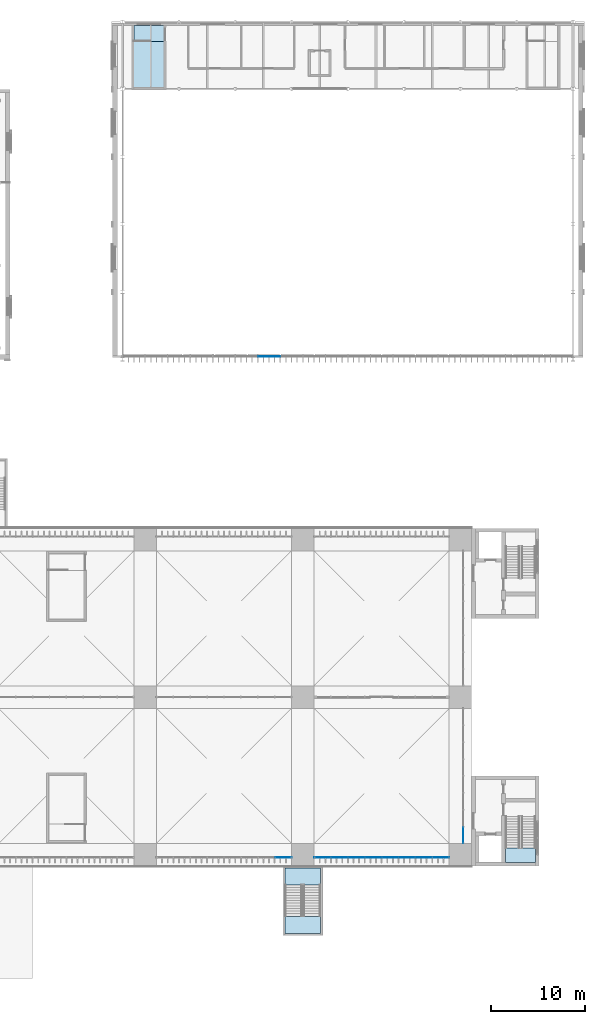
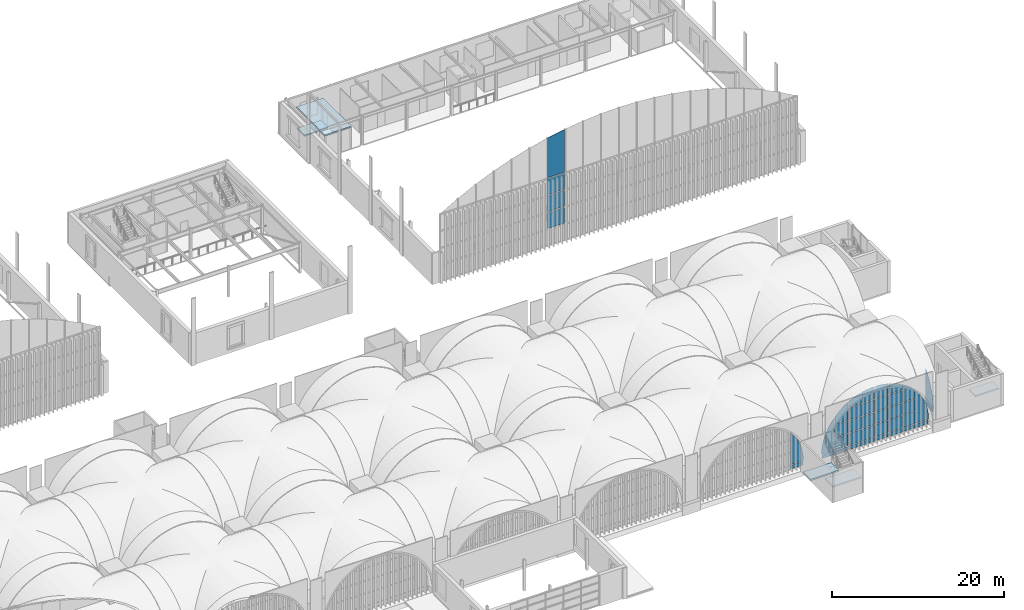
# One storey, part 91 of 169: 40 plates, 5 slabs, 6 elements without a shape of their own.
"""IFC4 building model written with IfcOpenShell, lengths in metres."""

from ifc_helpers import new_model, si_unit, direction, frame, origin, origin_2d, place, context, subcontext, project, spatial, polyline, rectangle, outline, extrude, material, layer, layer_set, type_object, element, aggregate, save


model = new_model("IFC4")

# Units and contexts
model_context = context("Model", 3, precision=1e-05, world=origin(), true_north=direction((0.0, 1.0)))
body_context = subcontext(model_context, "Body", "Model", "MODEL_VIEW")
ifc_project = project(units=[si_unit("LENGTHUNIT", "METRE"), si_unit("AREAUNIT", "SQUARE_METRE"), si_unit("VOLUMEUNIT", "CUBIC_METRE"), si_unit("PLANEANGLEUNIT", "RADIAN"), si_unit("MASSUNIT", "GRAM", prefix="KILO")], contexts=[model_context])

# Site, building, storey
site_placement = place(None, origin())
site = spatial("IfcSite", under=ifc_project, at=site_placement, CompositionType="ELEMENT")
building_placement = place(site_placement, origin())
building = spatial("IfcBuilding", under=site, at=building_placement, Name="Verrick Yard Athletic Hall", CompositionType="ELEMENT")
storey_placement = place(building_placement, frame((0.0, 0.0, 4.39990234375)))
storey = spatial("IfcBuildingStorey", under=building, at=storey_placement, Name="L01", CompositionType="ELEMENT", Elevation=4.39990234375)

# Slabs
ifc_material_1 = material(Name="Concrete 35 MPa", Category="concrete")
ifc_layer_1 = layer(ifc_material_1, 0.199951171875)
ifc_layer_set_1 = layer_set([ifc_layer_1], Name="Core floor slab 200")
slab_type_1 = type_object("IfcSlabType", Name="Core floor slab 200", PredefinedType="FLOOR", material=ifc_layer_set_1)
slab_1_placement = place(storey_placement, frame((0.0, 0.0, -0.199951171875)))
element("IfcSlab", 1, at=slab_1_placement, inside=storey, type_object=slab_type_1, Name="CORE-DT-S2-NL-L01", PredefinedType="FLOOR", context=body_context, shape_type="SweptSolid", body=[
    extrude(outline(polyline([(138.89990234375, 17.800048828125), (138.89990234375, 16.0), (142.699951171875, 16.0), (142.699951171875, 17.800048828125), (138.89990234375, 17.800048828125)])), origin(), (0.0, 0.0, 1.0), 0.199951171875),
])
slab_2_placement = place(storey_placement, frame((0.0, 0.0, -0.199951171875)))
element("IfcSlab", 2, at=slab_2_placement, inside=storey, type_object=slab_type_1, Name="CORE-HA-W-NL-L01", PredefinedType="FLOOR", context=body_context, shape_type="SweptSolid", body=[
    extrude(outline(polyline([(122.800048828125, 107.58154296875), (122.800048828125, 105.875), (126.0, 105.875), (126.0, 107.58154296875), (122.800048828125, 107.58154296875)])), origin(), (0.0, 0.0, 1.0), 0.199951171875),
])
ifc_layer_2 = layer(ifc_material_1, 0.199951171875)
ifc_layer_set_2 = layer_set([ifc_layer_2], Name="Core roof slab 200")
slab_type_2 = type_object("IfcSlabType", Name="Core roof slab 200", PredefinedType="ROOF", material=ifc_layer_set_2)
slab_3_placement = place(storey_placement, frame((0.0, 0.0, 3.0)))
element("IfcSlab", 3, at=slab_3_placement, inside=storey, type_object=slab_type_2, Name="CORE-HA-W-COVER", PredefinedType="ROOF", context=body_context, shape_type="SweptSolid", body=[
    extrude(outline(polyline([(122.60009765625, 100.800048828125), (126.199951171875, 100.800048828125), (126.199951171875, 107.375), (122.60009765625, 107.375), (122.60009765625, 100.800048828125)])), origin(), (0.0, 0.0, 1.0), 0.2001953125),
])

# Curtain wall, plates
ifc_material_2 = material(Name="Aluminium and glass curtain wall", Category="aluminium")
ifc_layer_3 = layer(ifc_material_2, 0.14990234375)
ifc_layer_set_3 = layer_set([ifc_layer_3], Name="Arcade glazing arch")
curtain_wall_type_1 = type_object("IfcCurtainWallType", Name="Arcade glazing arch", PredefinedType="NOTDEFINED", material=ifc_layer_set_3)
curtain_wall_1_placement = place(storey_placement, origin())
curtain_wall_1 = element("IfcCurtainWall", 4, at=curtain_wall_1_placement, inside=storey, type_object=curtain_wall_type_1, Name="Arcade glazing S6", PredefinedType="NOTDEFINED")
ifc_material_3 = material(Name="Laminated glass 28 mm", Category="glass")
ifc_layer_4 = layer(ifc_material_3, 0.028076171875)
ifc_layer_set_4 = layer_set([ifc_layer_4], Name="Curtain wall glass panel")
plate_type_1 = type_object("IfcPlateType", Name="Curtain wall glass panel", PredefinedType="CURTAIN_PANEL", material=ifc_layer_set_4)
plate_1_placement = place(storey_placement, frame((125.199951171875, 18.89990234375, 0.101806640625), z_axis=(0.0, 0.0, 1.0), x_axis=(1.0, 0.0, 0.0)))
plate_1 = element("IfcPlate", 5, at=plate_1_placement, type_object=plate_type_1, Name="Arcade glazing S6 panel 31", PredefinedType="CURTAIN_PANEL", context=body_context, shape_type="SweptSolid", body=[
    extrude(outline(polyline([(14.2978515625, 0.0), (14.2978515625, 0.49755859375), (12.65087890625, 0.49755859375), (12.65087890625, 0.0), (14.2978515625, 0.0)])), frame((0.0, 0.01416015625, 0.0), z_axis=(0.0, -1.0, 0.0), x_axis=(1.0, 0.0, 0.0)), (0.0, 0.0, 1.0), 0.028076171875),
])
plate_2_placement = place(storey_placement, frame((125.199951171875, 18.89990234375, 0.700927734375), z_axis=(0.0, 0.0, 1.0), x_axis=(1.0, 0.0, 0.0)))
plate_2 = element("IfcPlate", 6, at=plate_2_placement, type_object=plate_type_1, Name="Arcade glazing S6 panel 32", PredefinedType="CURTAIN_PANEL", context=body_context, shape_type="SweptSolid", body=[
    extrude(outline(polyline([(14.39892578125, 0.0), (14.39306640625, 0.26318359375), (14.37255859375, 0.57666015625), (14.33837890625, 0.888916015625), (14.29052734375, 1.199462890625), (14.229248046875, 1.507568359375), (14.15478515625, 1.812744140625), (14.06689453125, 2.1142578125), (13.9658203125, 2.41162109375), (13.851806640625, 2.70458984375), (13.725341796875, 2.9921875), (13.58642578125, 3.273681640625), (13.435302734375, 3.549072265625), (13.2724609375, 3.81787109375), (13.097900390625, 4.078857421875), (12.912109375, 4.332275390625), (12.715576171875, 4.5771484375), (12.65087890625, 4.651123046875), (12.65087890625, 0.0), (14.39892578125, 0.0)])), frame((0.0, 0.01416015625, 0.0), z_axis=(0.0, -1.0, 0.0), x_axis=(1.0, 0.0, 0.0)), (0.0, 0.0, 1.0), 0.028076171875),
])
aggregate(curtain_wall_1, [plate_1, plate_2])

curtain_wall_2_placement = place(storey_placement, origin())
curtain_wall_2 = element("IfcCurtainWall", 7, at=curtain_wall_2_placement, inside=storey, type_object=curtain_wall_type_1, Name="Arcade glazing S7", PredefinedType="NOTDEFINED")
plate_3_placement = place(storey_placement, frame((142.0, 18.89990234375, 0.101806640625), z_axis=(0.0, 0.0, 1.0), x_axis=(1.0, 0.0, 0.0)))
plate_3 = element("IfcPlate", 8, at=plate_3_placement, type_object=plate_type_1, Name="Arcade glazing S7 panel 1", PredefinedType="CURTAIN_PANEL", context=body_context, shape_type="SweptSolid", body=[
    extrude(outline(polyline([(1.749267578125, 0.0), (1.749267578125, 0.49755859375), (0.10205078125, 0.49755859375), (0.10205078125, 0.0), (1.749267578125, 0.0)])), frame((0.0, 0.01416015625, 0.0), z_axis=(0.0, -1.0, 0.0), x_axis=(1.0, 0.0, 0.0)), (0.0, 0.0, 1.0), 0.028076171875),
])
plate_4_placement = place(storey_placement, frame((142.0, 18.89990234375, 0.700927734375), z_axis=(0.0, 0.0, 1.0), x_axis=(1.0, 0.0, 0.0)))
plate_4 = element("IfcPlate", 9, at=plate_4_placement, type_object=plate_type_1, Name="Arcade glazing S7 panel 2", PredefinedType="CURTAIN_PANEL", context=body_context, shape_type="SweptSolid", body=[
    extrude(outline(polyline([(1.749267578125, 4.651123046875), (1.6845703125, 4.5771484375), (1.48779296875, 4.332275390625), (1.302001953125, 4.078857421875), (1.127685546875, 3.81787109375), (0.964599609375, 3.549072265625), (0.8134765625, 3.273681640625), (0.674560546875, 2.9921875), (0.548095703125, 2.70458984375), (0.43408203125, 2.41162109375), (0.333251953125, 2.1142578125), (0.245361328125, 1.812744140625), (0.170654296875, 1.507568359375), (0.109375, 1.199462890625), (0.0615234375, 0.888916015625), (0.02734375, 0.57666015625), (0.0068359375, 0.26318359375), (0.001220703125, 0.0), (1.749267578125, 0.0), (1.749267578125, 4.651123046875)])), frame((0.0, 0.01416015625, 0.0), z_axis=(0.0, -1.0, 0.0), x_axis=(1.0, 0.0, 0.0)), (0.0, 0.0, 1.0), 0.028076171875),
])
plate_5_placement = place(storey_placement, frame((142.0, 18.89990234375, 0.101806640625), z_axis=(0.0, 0.0, 1.0), x_axis=(1.0, 0.0, 0.0)))
plate_5 = element("IfcPlate", 10, at=plate_5_placement, type_object=plate_type_1, Name="Arcade glazing S7 panel 3", PredefinedType="CURTAIN_PANEL", context=body_context, shape_type="SweptSolid", body=[
    extrude(outline(polyline([(3.54931640625, 0.0), (3.54931640625, 0.49755859375), (1.850830078125, 0.49755859375), (1.850830078125, 0.0), (3.54931640625, 0.0)])), frame((0.0, 0.01416015625, 0.0), z_axis=(0.0, -1.0, 0.0), x_axis=(1.0, 0.0, 0.0)), (0.0, 0.0, 1.0), 0.028076171875),
])
plate_6_placement = place(storey_placement, frame((142.0, 18.89990234375, 0.700927734375), z_axis=(0.0, 0.0, 1.0), x_axis=(1.0, 0.0, 0.0)))
plate_6 = element("IfcPlate", 11, at=plate_6_placement, type_object=plate_type_1, Name="Arcade glazing S7 panel 4", PredefinedType="CURTAIN_PANEL", context=body_context, shape_type="SweptSolid", body=[
    extrude(outline(polyline([(3.54931640625, 0.0), (3.54931640625, 1.698486328125), (1.850830078125, 1.698486328125), (1.850830078125, 0.0), (3.54931640625, 0.0)])), frame((0.0, 0.01416015625, 0.0), z_axis=(0.0, -1.0, 0.0), x_axis=(1.0, 0.0, 0.0)), (0.0, 0.0, 1.0), 0.028076171875),
])
plate_7_placement = place(storey_placement, frame((142.0, 18.89990234375, 2.5009765625), z_axis=(0.0, 0.0, 1.0), x_axis=(1.0, 0.0, 0.0)))
plate_7 = element("IfcPlate", 12, at=plate_7_placement, type_object=plate_type_1, Name="Arcade glazing S7 panel 5", PredefinedType="CURTAIN_PANEL", context=body_context, shape_type="SweptSolid", body=[
    extrude(outline(polyline([(3.54931640625, 0.0), (3.54931640625, 1.6982421875), (1.850830078125, 1.6982421875), (1.850830078125, 0.0), (3.54931640625, 0.0)])), frame((0.0, 0.01416015625, 0.0), z_axis=(0.0, -1.0, 0.0), x_axis=(1.0, 0.0, 0.0)), (0.0, 0.0, 1.0), 0.028076171875),
])
plate_8_placement = place(storey_placement, frame((142.0, 18.89990234375, 4.30078125), z_axis=(0.0, 0.0, 1.0), x_axis=(1.0, 0.0, 0.0)))
plate_8 = element("IfcPlate", 13, at=plate_8_placement, type_object=plate_type_1, Name="Arcade glazing S7 panel 6", PredefinedType="CURTAIN_PANEL", context=body_context, shape_type="SweptSolid", body=[
    extrude(outline(polyline([(3.54931640625, 2.553955078125), (3.331298828125, 2.421630859375), (3.0703125, 2.247314453125), (2.81689453125, 2.0615234375), (2.572021484375, 1.86474609375), (2.335693359375, 1.65771484375), (2.10888671875, 1.4404296875), (1.8916015625, 1.213623046875), (1.850830078125, 1.1669921875), (1.850830078125, 0.0), (3.54931640625, 0.0), (3.54931640625, 2.553955078125)])), frame((0.0, 0.01416015625, 0.0), z_axis=(0.0, -1.0, 0.0), x_axis=(1.0, 0.0, 0.0)), (0.0, 0.0, 1.0), 0.028076171875),
])
plate_9_placement = place(storey_placement, frame((142.0, 18.89990234375, 0.101806640625), z_axis=(0.0, 0.0, 1.0), x_axis=(1.0, 0.0, 0.0)))
plate_9 = element("IfcPlate", 14, at=plate_9_placement, type_object=plate_type_1, Name="Arcade glazing S7 panel 7", PredefinedType="CURTAIN_PANEL", context=body_context, shape_type="SweptSolid", body=[
    extrude(outline(polyline([(5.34912109375, 0.0), (5.34912109375, 0.49755859375), (3.65087890625, 0.49755859375), (3.65087890625, 0.0), (5.34912109375, 0.0)])), frame((0.0, 0.01416015625, 0.0), z_axis=(0.0, -1.0, 0.0), x_axis=(1.0, 0.0, 0.0)), (0.0, 0.0, 1.0), 0.028076171875),
])
plate_10_placement = place(storey_placement, frame((142.0, 18.89990234375, 0.700927734375), z_axis=(0.0, 0.0, 1.0), x_axis=(1.0, 0.0, 0.0)))
plate_10 = element("IfcPlate", 15, at=plate_10_placement, type_object=plate_type_1, Name="Arcade glazing S7 panel 8", PredefinedType="CURTAIN_PANEL", context=body_context, shape_type="SweptSolid", body=[
    extrude(outline(polyline([(5.34912109375, 0.0), (5.34912109375, 1.698486328125), (3.65087890625, 1.698486328125), (3.65087890625, 0.0), (5.34912109375, 0.0)])), frame((0.0, 0.01416015625, 0.0), z_axis=(0.0, -1.0, 0.0), x_axis=(1.0, 0.0, 0.0)), (0.0, 0.0, 1.0), 0.028076171875),
])
plate_11_placement = place(storey_placement, frame((142.0, 18.89990234375, 2.5009765625), z_axis=(0.0, 0.0, 1.0), x_axis=(1.0, 0.0, 0.0)))
plate_11 = element("IfcPlate", 16, at=plate_11_placement, type_object=plate_type_1, Name="Arcade glazing S7 panel 9", PredefinedType="CURTAIN_PANEL", context=body_context, shape_type="SweptSolid", body=[
    extrude(outline(polyline([(5.34912109375, 0.0), (5.34912109375, 1.6982421875), (3.65087890625, 1.6982421875), (3.65087890625, 0.0), (5.34912109375, 0.0)])), frame((0.0, 0.01416015625, 0.0), z_axis=(0.0, -1.0, 0.0), x_axis=(1.0, 0.0, 0.0)), (0.0, 0.0, 1.0), 0.028076171875),
])
plate_12_placement = place(storey_placement, frame((142.0, 18.89990234375, 4.30078125), z_axis=(0.0, 0.0, 1.0), x_axis=(1.0, 0.0, 0.0)))
plate_12 = element("IfcPlate", 17, at=plate_12_placement, type_object=plate_type_1, Name="Arcade glazing S7 panel 10", PredefinedType="CURTAIN_PANEL", context=body_context, shape_type="SweptSolid", body=[
    extrude(outline(polyline([(5.34912109375, 0.0), (5.34912109375, 1.698486328125), (3.65087890625, 1.698486328125), (3.65087890625, 0.0), (5.34912109375, 0.0)])), frame((0.0, 0.01416015625, 0.0), z_axis=(0.0, -1.0, 0.0), x_axis=(1.0, 0.0, 0.0)), (0.0, 0.0, 1.0), 0.028076171875),
])
plate_13_placement = place(storey_placement, frame((142.0, 18.89990234375, 6.100830078125), z_axis=(0.0, 0.0, 1.0), x_axis=(1.0, 0.0, 0.0)))
plate_13 = element("IfcPlate", 18, at=plate_13_placement, type_object=plate_type_1, Name="Arcade glazing S7 panel 11", PredefinedType="CURTAIN_PANEL", context=body_context, shape_type="SweptSolid", body=[
    extrude(outline(polyline([(5.34912109375, 1.507080078125), (5.33642578125, 1.50390625), (5.034912109375, 1.416015625), (4.737548828125, 1.315185546875), (4.444580078125, 1.201171875), (4.156982421875, 1.07470703125), (3.87548828125, 0.935791015625), (3.65087890625, 0.8125), (3.65087890625, 0.0), (5.34912109375, 0.0), (5.34912109375, 1.507080078125)])), frame((0.0, 0.01416015625, 0.0), z_axis=(0.0, -1.0, 0.0), x_axis=(1.0, 0.0, 0.0)), (0.0, 0.0, 1.0), 0.028076171875),
])
plate_14_placement = place(storey_placement, frame((142.0, 18.89990234375, 0.101806640625), z_axis=(0.0, 0.0, 1.0), x_axis=(1.0, 0.0, 0.0)))
plate_14 = element("IfcPlate", 19, at=plate_14_placement, type_object=plate_type_1, Name="Arcade glazing S7 panel 12", PredefinedType="CURTAIN_PANEL", context=body_context, shape_type="SweptSolid", body=[
    extrude(outline(polyline([(7.149169921875, 0.0), (7.149169921875, 0.49755859375), (5.45068359375, 0.49755859375), (5.45068359375, 0.0), (7.149169921875, 0.0)])), frame((0.0, 0.01416015625, 0.0), z_axis=(0.0, -1.0, 0.0), x_axis=(1.0, 0.0, 0.0)), (0.0, 0.0, 1.0), 0.028076171875),
])
plate_15_placement = place(storey_placement, frame((142.0, 18.89990234375, 0.700927734375), z_axis=(0.0, 0.0, 1.0), x_axis=(1.0, 0.0, 0.0)))
plate_15 = element("IfcPlate", 20, at=plate_15_placement, type_object=plate_type_1, Name="Arcade glazing S7 panel 13", PredefinedType="CURTAIN_PANEL", context=body_context, shape_type="SweptSolid", body=[
    extrude(outline(polyline([(7.149169921875, 0.0), (7.149169921875, 1.698486328125), (5.45068359375, 1.698486328125), (5.45068359375, 0.0), (7.149169921875, 0.0)])), frame((0.0, 0.01416015625, 0.0), z_axis=(0.0, -1.0, 0.0), x_axis=(1.0, 0.0, 0.0)), (0.0, 0.0, 1.0), 0.028076171875),
])
plate_16_placement = place(storey_placement, frame((142.0, 18.89990234375, 2.5009765625), z_axis=(0.0, 0.0, 1.0), x_axis=(1.0, 0.0, 0.0)))
plate_16 = element("IfcPlate", 21, at=plate_16_placement, type_object=plate_type_1, Name="Arcade glazing S7 panel 14", PredefinedType="CURTAIN_PANEL", context=body_context, shape_type="SweptSolid", body=[
    extrude(outline(polyline([(7.149169921875, 0.0), (7.149169921875, 1.6982421875), (5.45068359375, 1.6982421875), (5.45068359375, 0.0), (7.149169921875, 0.0)])), frame((0.0, 0.01416015625, 0.0), z_axis=(0.0, -1.0, 0.0), x_axis=(1.0, 0.0, 0.0)), (0.0, 0.0, 1.0), 0.028076171875),
])
plate_17_placement = place(storey_placement, frame((142.0, 18.89990234375, 4.30078125), z_axis=(0.0, 0.0, 1.0), x_axis=(1.0, 0.0, 0.0)))
plate_17 = element("IfcPlate", 22, at=plate_17_placement, type_object=plate_type_1, Name="Arcade glazing S7 panel 15", PredefinedType="CURTAIN_PANEL", context=body_context, shape_type="SweptSolid", body=[
    extrude(outline(polyline([(7.149169921875, 0.0), (7.149169921875, 1.698486328125), (5.45068359375, 1.698486328125), (5.45068359375, 0.0), (7.149169921875, 0.0)])), frame((0.0, 0.01416015625, 0.0), z_axis=(0.0, -1.0, 0.0), x_axis=(1.0, 0.0, 0.0)), (0.0, 0.0, 1.0), 0.028076171875),
])
plate_18_placement = place(storey_placement, frame((142.0, 18.89990234375, 6.100830078125), z_axis=(0.0, 0.0, 1.0), x_axis=(1.0, 0.0, 0.0)))
plate_18 = element("IfcPlate", 23, at=plate_18_placement, type_object=plate_type_1, Name="Arcade glazing S7 panel 16", PredefinedType="CURTAIN_PANEL", context=body_context, shape_type="SweptSolid", body=[
    extrude(outline(polyline([(7.149169921875, 1.748046875), (6.885986328125, 1.742431640625), (6.572509765625, 1.721923828125), (6.26025390625, 1.687744140625), (5.94970703125, 1.639892578125), (5.6416015625, 1.57861328125), (5.45068359375, 1.531982421875), (5.45068359375, 0.0), (7.149169921875, 0.0), (7.149169921875, 1.748046875)])), frame((0.0, 0.01416015625, 0.0), z_axis=(0.0, -1.0, 0.0), x_axis=(1.0, 0.0, 0.0)), (0.0, 0.0, 1.0), 0.028076171875),
])
plate_19_placement = place(storey_placement, frame((142.0, 18.89990234375, 0.101806640625), z_axis=(0.0, 0.0, 1.0), x_axis=(1.0, 0.0, 0.0)))
plate_19 = element("IfcPlate", 24, at=plate_19_placement, type_object=plate_type_1, Name="Arcade glazing S7 panel 17", PredefinedType="CURTAIN_PANEL", context=body_context, shape_type="SweptSolid", body=[
    extrude(outline(polyline([(8.94921875, 0.0), (8.94921875, 0.49755859375), (7.250732421875, 0.49755859375), (7.250732421875, 0.0), (8.94921875, 0.0)])), frame((0.0, 0.01416015625, 0.0), z_axis=(0.0, -1.0, 0.0), x_axis=(1.0, 0.0, 0.0)), (0.0, 0.0, 1.0), 0.028076171875),
])
plate_20_placement = place(storey_placement, frame((142.0, 18.89990234375, 0.700927734375), z_axis=(0.0, 0.0, 1.0), x_axis=(1.0, 0.0, 0.0)))
plate_20 = element("IfcPlate", 25, at=plate_20_placement, type_object=plate_type_1, Name="Arcade glazing S7 panel 18", PredefinedType="CURTAIN_PANEL", context=body_context, shape_type="SweptSolid", body=[
    extrude(outline(polyline([(8.94921875, 0.0), (8.94921875, 1.698486328125), (7.250732421875, 1.698486328125), (7.250732421875, 0.0), (8.94921875, 0.0)])), frame((0.0, 0.01416015625, 0.0), z_axis=(0.0, -1.0, 0.0), x_axis=(1.0, 0.0, 0.0)), (0.0, 0.0, 1.0), 0.028076171875),
])
plate_21_placement = place(storey_placement, frame((142.0, 18.89990234375, 2.5009765625), z_axis=(0.0, 0.0, 1.0), x_axis=(1.0, 0.0, 0.0)))
plate_21 = element("IfcPlate", 26, at=plate_21_placement, type_object=plate_type_1, Name="Arcade glazing S7 panel 19", PredefinedType="CURTAIN_PANEL", context=body_context, shape_type="SweptSolid", body=[
    extrude(outline(polyline([(8.94921875, 0.0), (8.94921875, 1.6982421875), (7.250732421875, 1.6982421875), (7.250732421875, 0.0), (8.94921875, 0.0)])), frame((0.0, 0.01416015625, 0.0), z_axis=(0.0, -1.0, 0.0), x_axis=(1.0, 0.0, 0.0)), (0.0, 0.0, 1.0), 0.028076171875),
])
plate_22_placement = place(storey_placement, frame((142.0, 18.89990234375, 4.30078125), z_axis=(0.0, 0.0, 1.0), x_axis=(1.0, 0.0, 0.0)))
plate_22 = element("IfcPlate", 27, at=plate_22_placement, type_object=plate_type_1, Name="Arcade glazing S7 panel 20", PredefinedType="CURTAIN_PANEL", context=body_context, shape_type="SweptSolid", body=[
    extrude(outline(polyline([(8.94921875, 0.0), (8.94921875, 1.698486328125), (7.250732421875, 1.698486328125), (7.250732421875, 0.0), (8.94921875, 0.0)])), frame((0.0, 0.01416015625, 0.0), z_axis=(0.0, -1.0, 0.0), x_axis=(1.0, 0.0, 0.0)), (0.0, 0.0, 1.0), 0.028076171875),
])
plate_23_placement = place(storey_placement, frame((142.0, 18.89990234375, 6.100830078125), z_axis=(0.0, 0.0, 1.0), x_axis=(1.0, 0.0, 0.0)))
plate_23 = element("IfcPlate", 28, at=plate_23_placement, type_object=plate_type_1, Name="Arcade glazing S7 panel 21", PredefinedType="CURTAIN_PANEL", context=body_context, shape_type="SweptSolid", body=[
    extrude(outline(polyline([(8.94921875, 1.531982421875), (8.75830078125, 1.57861328125), (8.4501953125, 1.639892578125), (8.139892578125, 1.687744140625), (7.827392578125, 1.721923828125), (7.51416015625, 1.742431640625), (7.250732421875, 1.748046875), (7.250732421875, 0.0), (8.94921875, 0.0), (8.94921875, 1.531982421875)])), frame((0.0, 0.01416015625, 0.0), z_axis=(0.0, -1.0, 0.0), x_axis=(1.0, 0.0, 0.0)), (0.0, 0.0, 1.0), 0.028076171875),
])
plate_24_placement = place(storey_placement, frame((142.0, 18.89990234375, 0.101806640625), z_axis=(0.0, 0.0, 1.0), x_axis=(1.0, 0.0, 0.0)))
plate_24 = element("IfcPlate", 29, at=plate_24_placement, type_object=plate_type_1, Name="Arcade glazing S7 panel 22", PredefinedType="CURTAIN_PANEL", context=body_context, shape_type="SweptSolid", body=[
    extrude(outline(polyline([(10.749267578125, 0.0), (10.749267578125, 0.49755859375), (9.05078125, 0.49755859375), (9.05078125, 0.0), (10.749267578125, 0.0)])), frame((0.0, 0.01416015625, 0.0), z_axis=(0.0, -1.0, 0.0), x_axis=(1.0, 0.0, 0.0)), (0.0, 0.0, 1.0), 0.028076171875),
])
plate_25_placement = place(storey_placement, frame((142.0, 18.89990234375, 0.700927734375), z_axis=(0.0, 0.0, 1.0), x_axis=(1.0, 0.0, 0.0)))
plate_25 = element("IfcPlate", 30, at=plate_25_placement, type_object=plate_type_1, Name="Arcade glazing S7 panel 23", PredefinedType="CURTAIN_PANEL", context=body_context, shape_type="SweptSolid", body=[
    extrude(outline(polyline([(10.749267578125, 0.0), (10.749267578125, 1.698486328125), (9.05078125, 1.698486328125), (9.05078125, 0.0), (10.749267578125, 0.0)])), frame((0.0, 0.01416015625, 0.0), z_axis=(0.0, -1.0, 0.0), x_axis=(1.0, 0.0, 0.0)), (0.0, 0.0, 1.0), 0.028076171875),
])
plate_26_placement = place(storey_placement, frame((142.0, 18.89990234375, 2.5009765625), z_axis=(0.0, 0.0, 1.0), x_axis=(1.0, 0.0, 0.0)))
plate_26 = element("IfcPlate", 31, at=plate_26_placement, type_object=plate_type_1, Name="Arcade glazing S7 panel 24", PredefinedType="CURTAIN_PANEL", context=body_context, shape_type="SweptSolid", body=[
    extrude(outline(polyline([(10.749267578125, 0.0), (10.749267578125, 1.6982421875), (9.05078125, 1.6982421875), (9.05078125, 0.0), (10.749267578125, 0.0)])), frame((0.0, 0.01416015625, 0.0), z_axis=(0.0, -1.0, 0.0), x_axis=(1.0, 0.0, 0.0)), (0.0, 0.0, 1.0), 0.028076171875),
])
plate_27_placement = place(storey_placement, frame((142.0, 18.89990234375, 4.30078125), z_axis=(0.0, 0.0, 1.0), x_axis=(1.0, 0.0, 0.0)))
plate_27 = element("IfcPlate", 32, at=plate_27_placement, type_object=plate_type_1, Name="Arcade glazing S7 panel 25", PredefinedType="CURTAIN_PANEL", context=body_context, shape_type="SweptSolid", body=[
    extrude(outline(polyline([(10.749267578125, 0.0), (10.749267578125, 1.698486328125), (9.05078125, 1.698486328125), (9.05078125, 0.0), (10.749267578125, 0.0)])), frame((0.0, 0.01416015625, 0.0), z_axis=(0.0, -1.0, 0.0), x_axis=(1.0, 0.0, 0.0)), (0.0, 0.0, 1.0), 0.028076171875),
])
plate_28_placement = place(storey_placement, frame((142.0, 18.89990234375, 6.100830078125), z_axis=(0.0, 0.0, 1.0), x_axis=(1.0, 0.0, 0.0)))
plate_28 = element("IfcPlate", 33, at=plate_28_placement, type_object=plate_type_1, Name="Arcade glazing S7 panel 26", PredefinedType="CURTAIN_PANEL", context=body_context, shape_type="SweptSolid", body=[
    extrude(outline(polyline([(10.749267578125, 0.8125), (10.524658203125, 0.935791015625), (10.242919921875, 1.07470703125), (9.955322265625, 1.201171875), (9.66259765625, 1.315185546875), (9.364990234375, 1.416015625), (9.0634765625, 1.50390625), (9.05078125, 1.507080078125), (9.05078125, 0.0), (10.749267578125, 0.0), (10.749267578125, 0.8125)])), frame((0.0, 0.01416015625, 0.0), z_axis=(0.0, -1.0, 0.0), x_axis=(1.0, 0.0, 0.0)), (0.0, 0.0, 1.0), 0.028076171875),
])
plate_29_placement = place(storey_placement, frame((142.0, 18.89990234375, 0.101806640625), z_axis=(0.0, 0.0, 1.0), x_axis=(1.0, 0.0, 0.0)))
plate_29 = element("IfcPlate", 34, at=plate_29_placement, type_object=plate_type_1, Name="Arcade glazing S7 panel 27", PredefinedType="CURTAIN_PANEL", context=body_context, shape_type="SweptSolid", body=[
    extrude(outline(polyline([(12.54931640625, 0.0), (12.54931640625, 0.49755859375), (10.850830078125, 0.49755859375), (10.850830078125, 0.0), (12.54931640625, 0.0)])), frame((0.0, 0.01416015625, 0.0), z_axis=(0.0, -1.0, 0.0), x_axis=(1.0, 0.0, 0.0)), (0.0, 0.0, 1.0), 0.028076171875),
])
plate_30_placement = place(storey_placement, frame((142.0, 18.89990234375, 0.700927734375), z_axis=(0.0, 0.0, 1.0), x_axis=(1.0, 0.0, 0.0)))
plate_30 = element("IfcPlate", 35, at=plate_30_placement, type_object=plate_type_1, Name="Arcade glazing S7 panel 28", PredefinedType="CURTAIN_PANEL", context=body_context, shape_type="SweptSolid", body=[
    extrude(outline(polyline([(12.54931640625, 0.0), (12.54931640625, 1.698486328125), (10.850830078125, 1.698486328125), (10.850830078125, 0.0), (12.54931640625, 0.0)])), frame((0.0, 0.01416015625, 0.0), z_axis=(0.0, -1.0, 0.0), x_axis=(1.0, 0.0, 0.0)), (0.0, 0.0, 1.0), 0.028076171875),
])
plate_31_placement = place(storey_placement, frame((142.0, 18.89990234375, 2.5009765625), z_axis=(0.0, 0.0, 1.0), x_axis=(1.0, 0.0, 0.0)))
plate_31 = element("IfcPlate", 36, at=plate_31_placement, type_object=plate_type_1, Name="Arcade glazing S7 panel 29", PredefinedType="CURTAIN_PANEL", context=body_context, shape_type="SweptSolid", body=[
    extrude(outline(polyline([(12.54931640625, 0.0), (12.54931640625, 1.6982421875), (10.850830078125, 1.6982421875), (10.850830078125, 0.0), (12.54931640625, 0.0)])), frame((0.0, 0.01416015625, 0.0), z_axis=(0.0, -1.0, 0.0), x_axis=(1.0, 0.0, 0.0)), (0.0, 0.0, 1.0), 0.028076171875),
])
plate_32_placement = place(storey_placement, frame((142.0, 18.89990234375, 4.30078125), z_axis=(0.0, 0.0, 1.0), x_axis=(1.0, 0.0, 0.0)))
plate_32 = element("IfcPlate", 37, at=plate_32_placement, type_object=plate_type_1, Name="Arcade glazing S7 panel 30", PredefinedType="CURTAIN_PANEL", context=body_context, shape_type="SweptSolid", body=[
    extrude(outline(polyline([(12.54931640625, 1.1669921875), (12.50830078125, 1.213623046875), (12.291259765625, 1.4404296875), (12.064208984375, 1.65771484375), (11.828125, 1.86474609375), (11.5830078125, 2.0615234375), (11.329833984375, 2.247314453125), (11.068603515625, 2.421630859375), (10.850830078125, 2.553955078125), (10.850830078125, 0.0), (12.54931640625, 0.0), (12.54931640625, 1.1669921875)])), frame((0.0, 0.01416015625, 0.0), z_axis=(0.0, -1.0, 0.0), x_axis=(1.0, 0.0, 0.0)), (0.0, 0.0, 1.0), 0.028076171875),
])
plate_33_placement = place(storey_placement, frame((142.0, 18.89990234375, 0.101806640625), z_axis=(0.0, 0.0, 1.0), x_axis=(1.0, 0.0, 0.0)))
plate_33 = element("IfcPlate", 38, at=plate_33_placement, type_object=plate_type_1, Name="Arcade glazing S7 panel 31", PredefinedType="CURTAIN_PANEL", context=body_context, shape_type="SweptSolid", body=[
    extrude(outline(polyline([(14.2978515625, 0.0), (14.2978515625, 0.49755859375), (12.65087890625, 0.49755859375), (12.65087890625, 0.0), (14.2978515625, 0.0)])), frame((0.0, 0.01416015625, 0.0), z_axis=(0.0, -1.0, 0.0), x_axis=(1.0, 0.0, 0.0)), (0.0, 0.0, 1.0), 0.028076171875),
])
plate_34_placement = place(storey_placement, frame((142.0, 18.89990234375, 0.700927734375), z_axis=(0.0, 0.0, 1.0), x_axis=(1.0, 0.0, 0.0)))
plate_34 = element("IfcPlate", 39, at=plate_34_placement, type_object=plate_type_1, Name="Arcade glazing S7 panel 32", PredefinedType="CURTAIN_PANEL", context=body_context, shape_type="SweptSolid", body=[
    extrude(outline(polyline([(14.39892578125, 0.0), (14.39306640625, 0.26318359375), (14.37255859375, 0.57666015625), (14.33837890625, 0.888916015625), (14.29052734375, 1.199462890625), (14.229248046875, 1.507568359375), (14.15478515625, 1.812744140625), (14.06689453125, 2.1142578125), (13.9658203125, 2.41162109375), (13.851806640625, 2.70458984375), (13.725341796875, 2.9921875), (13.58642578125, 3.273681640625), (13.435302734375, 3.549072265625), (13.2724609375, 3.81787109375), (13.097900390625, 4.078857421875), (12.912109375, 4.332275390625), (12.715576171875, 4.5771484375), (12.65087890625, 4.651123046875), (12.65087890625, 0.0), (14.39892578125, 0.0)])), frame((0.0, 0.01416015625, 0.0), z_axis=(0.0, -1.0, 0.0), x_axis=(1.0, 0.0, 0.0)), (0.0, 0.0, 1.0), 0.028076171875),
])
aggregate(curtain_wall_2, [plate_3, plate_4, plate_5, plate_6, plate_7, plate_8, plate_9, plate_10, plate_11, plate_12, plate_13, plate_14, plate_15, plate_16, plate_17, plate_18, plate_19, plate_20, plate_21, plate_22, plate_23, plate_24, plate_25, plate_26, plate_27, plate_28, plate_29, plate_30, plate_31, plate_32, plate_33, plate_34])

ifc_layer_5 = layer(ifc_material_2, 0.14990234375)
ifc_layer_set_5 = layer_set([ifc_layer_5], Name="East end glazing arch")
curtain_wall_type_2 = type_object("IfcCurtainWallType", Name="East end glazing arch", PredefinedType="NOTDEFINED", material=ifc_layer_set_5)
curtain_wall_3_placement = place(storey_placement, origin())
curtain_wall_3 = element("IfcCurtainWall", 40, at=curtain_wall_3_placement, inside=storey, type_object=curtain_wall_type_2, Name="East end glazing 1", PredefinedType="NOTDEFINED")
plate_35_placement = place(storey_placement, frame((157.89990234375, 20.39990234375, 0.101806640625), z_axis=(0.0, 0.0, 1.0), x_axis=(0.0, 1.0, 0.0)))
plate_35 = element("IfcPlate", 41, at=plate_35_placement, type_object=plate_type_1, Name="East end glazing 1 panel 1", PredefinedType="CURTAIN_PANEL", context=body_context, shape_type="SweptSolid", body=[
    extrude(outline(polyline([(1.749267578125, 0.0), (1.749267578125, 0.49755859375), (0.10205078125, 0.49755859375), (0.10205078125, 0.0), (1.749267578125, 0.0)])), frame((0.0, 0.01416015625, 0.0), z_axis=(0.0, -1.0, 0.0), x_axis=(1.0, 0.0, 0.0)), (0.0, 0.0, 1.0), 0.028076171875),
])
plate_36_placement = place(storey_placement, frame((157.89990234375, 20.39990234375, 0.700927734375), z_axis=(0.0, 0.0, 1.0), x_axis=(0.0, 1.0, 0.0)))
plate_36 = element("IfcPlate", 42, at=plate_36_placement, type_object=plate_type_1, Name="East end glazing 1 panel 2", PredefinedType="CURTAIN_PANEL", context=body_context, shape_type="SweptSolid", body=[
    extrude(outline(polyline([(1.749267578125, 4.651123046875), (1.6845703125, 4.5771484375), (1.48779296875, 4.332275390625), (1.302001953125, 4.078857421875), (1.127685546875, 3.81787109375), (0.964599609375, 3.549072265625), (0.8134765625, 3.273681640625), (0.674560546875, 2.9921875), (0.548095703125, 2.70458984375), (0.43408203125, 2.41162109375), (0.333251953125, 2.1142578125), (0.245361328125, 1.812744140625), (0.170654296875, 1.507568359375), (0.109375, 1.199462890625), (0.0615234375, 0.888916015625), (0.02734375, 0.57666015625), (0.0068359375, 0.26318359375), (0.001220703125, 0.0), (1.749267578125, 0.0), (1.749267578125, 4.651123046875)])), frame((0.0, 0.01416015625, 0.0), z_axis=(0.0, -1.0, 0.0), x_axis=(1.0, 0.0, 0.0)), (0.0, 0.0, 1.0), 0.028076171875),
])
aggregate(curtain_wall_3, [plate_35, plate_36])

ifc_material_4 = material(Name="Anodised aluminium", Category="aluminium")
ifc_layer_6 = layer(ifc_material_4, 0.199951171875)
ifc_layer_set_6 = layer_set([ifc_layer_6], Name="Gable glazing")
curtain_wall_type_3 = type_object("IfcCurtainWallType", Name="Gable glazing", PredefinedType="NOTDEFINED", material=ifc_layer_set_6)
curtain_wall_4_placement = place(storey_placement, origin())
curtain_wall_4 = element("IfcCurtainWall", 43, at=curtain_wall_4_placement, inside=storey, type_object=curtain_wall_type_3, Name="Gable curtain wall AS", PredefinedType="NOTDEFINED")
ifc_material_5 = material(Name="Glass IGU low-e", Category="glass")
ifc_layer_7 = layer(ifc_material_5, 0.03125)
ifc_layer_set_7 = layer_set([ifc_layer_7], Name="Glazing panel 31")
plate_type_2 = type_object("IfcPlateType", Name="Glazing panel 31", PredefinedType="CURTAIN_PANEL", material=ifc_layer_set_7)
plate_37_placement = place(storey_placement, frame((137.199951171875, 72.318359375, 2.4599609375), z_axis=(0.0, 0.0, 1.0), x_axis=(1.0, 0.0, 0.0)))
plate_37 = element("IfcPlate", 44, at=plate_37_placement, type_object=plate_type_2, Name="ENVB-HAS-CW/P06-01", PredefinedType="CURTAIN_PANEL", context=body_context, shape_type="SweptSolid", body=[
    extrude(rectangle(XDim=2.340087890625, YDim=0.03125, at=origin_2d()), origin(), (0.0, 0.0, 1.0), 2.280029296875),
])
plate_38_placement = place(storey_placement, frame((137.199951171875, 72.318359375, 4.85986328125), z_axis=(0.0, 0.0, 1.0), x_axis=(1.0, 0.0, 0.0)))
plate_38 = element("IfcPlate", 45, at=plate_38_placement, type_object=plate_type_2, Name="ENVB-HAS-CW/P06-02", PredefinedType="CURTAIN_PANEL", context=body_context, shape_type="SweptSolid", body=[
    extrude(rectangle(XDim=2.340087890625, YDim=0.03125, at=origin_2d()), origin(), (0.0, 0.0, 1.0), 2.280029296875),
])
plate_39_placement = place(storey_placement, frame((137.199951171875, 72.318359375, 7.26025390625), z_axis=(0.0, 0.0, 1.0), x_axis=(1.0, 0.0, 0.0)))
plate_39 = element("IfcPlate", 46, at=plate_39_placement, type_object=plate_type_2, Name="ENVB-HAS-CW/P06-03", PredefinedType="CURTAIN_PANEL", context=body_context, shape_type="SweptSolid", body=[
    extrude(rectangle(XDim=2.340087890625, YDim=0.03125, at=origin_2d()), origin(), (0.0, 0.0, 1.0), 2.280029296875),
])
plate_40_placement = place(storey_placement, frame((136.030029296875, 72.318359375, 9.66015625), z_axis=(0.0, 0.0, 1.0), x_axis=(1.0, 0.0, 0.0)))
plate_40 = element("IfcPlate", 47, at=plate_40_placement, type_object=plate_type_2, Name="ENVB-HAS-CW/PA06", PredefinedType="CURTAIN_PANEL", context=body_context, shape_type="SweptSolid", body=[
    extrude(outline(polyline([(0.0, 5.6591796875), (2.340087890625, 6.093994140625), (2.340087890625, 0.0), (0.0, 0.0), (0.0, 5.6591796875)])), frame((0.0, 0.015625, 0.0), z_axis=(0.0, -1.0, 0.0), x_axis=(1.0, 0.0, 0.0)), (0.0, 0.0, 1.0), 0.03125),
])
aggregate(curtain_wall_4, [plate_37, plate_38, plate_39, plate_40])

# Stair, slab
stair_type_1 = type_object("IfcStairType", Name="Stair ST1 1500 wide 26 risers", PredefinedType="HALF_TURN_STAIR", material=ifc_material_1)
stair_1_placement = place(storey_placement, origin())
stair_1 = element("IfcStair", 48, at=stair_1_placement, inside=storey, type_object=stair_type_1, Name="Plinth south-east stair L01", PredefinedType="HALF_TURN_STAIR")
ifc_layer_8 = layer(ifc_material_1, 0.199951171875)
ifc_layer_set_8 = layer_set([ifc_layer_8], Name="Stair landing slab 200")
slab_type_3 = type_object("IfcSlabType", Name="Stair landing slab 200", PredefinedType="LANDING", material=ifc_layer_set_8)
slab_4_placement = place(storey_placement, frame((0.0, 0.0, 2.0)))
slab_4 = element("IfcSlab", 49, at=slab_4_placement, type_object=slab_type_3, Name="ST1 landing 1", PredefinedType="LANDING", context=body_context, shape_type="SweptSolid", body=[
    extrude(outline(polyline([(162.39990234375, 19.93994140625), (162.39990234375, 18.39990234375), (165.60009765625, 18.39990234375), (165.60009765625, 19.93994140625), (162.39990234375, 19.93994140625)])), origin(), (0.0, 0.0, 1.0), 0.2001953125),
])
aggregate(stair_1, [slab_4])

stair_type_2 = type_object("IfcStairType", Name="Stair ST3 1800 wide 26 risers", PredefinedType="HALF_TURN_STAIR", material=ifc_material_1)
stair_2_placement = place(storey_placement, origin())
stair_2 = element("IfcStair", 50, at=stair_2_placement, inside=storey, type_object=stair_type_2, Name="South deck escape 2 stair L01", PredefinedType="HALF_TURN_STAIR")
slab_5_placement = place(storey_placement, frame((0.0, 0.0, 2.0)))
slab_5 = element("IfcSlab", 51, at=slab_5_placement, type_object=slab_type_3, Name="ST3 landing 1", PredefinedType="LANDING", context=body_context, shape_type="SweptSolid", body=[
    extrude(outline(polyline([(138.89990234375, 12.639892578125), (138.89990234375, 10.800048828125), (142.699951171875, 10.800048828125), (142.699951171875, 12.639892578125), (138.89990234375, 12.639892578125)])), origin(), (0.0, 0.0, 1.0), 0.2001953125),
])
aggregate(stair_2, [slab_5])

save(model, "model.ifc")
